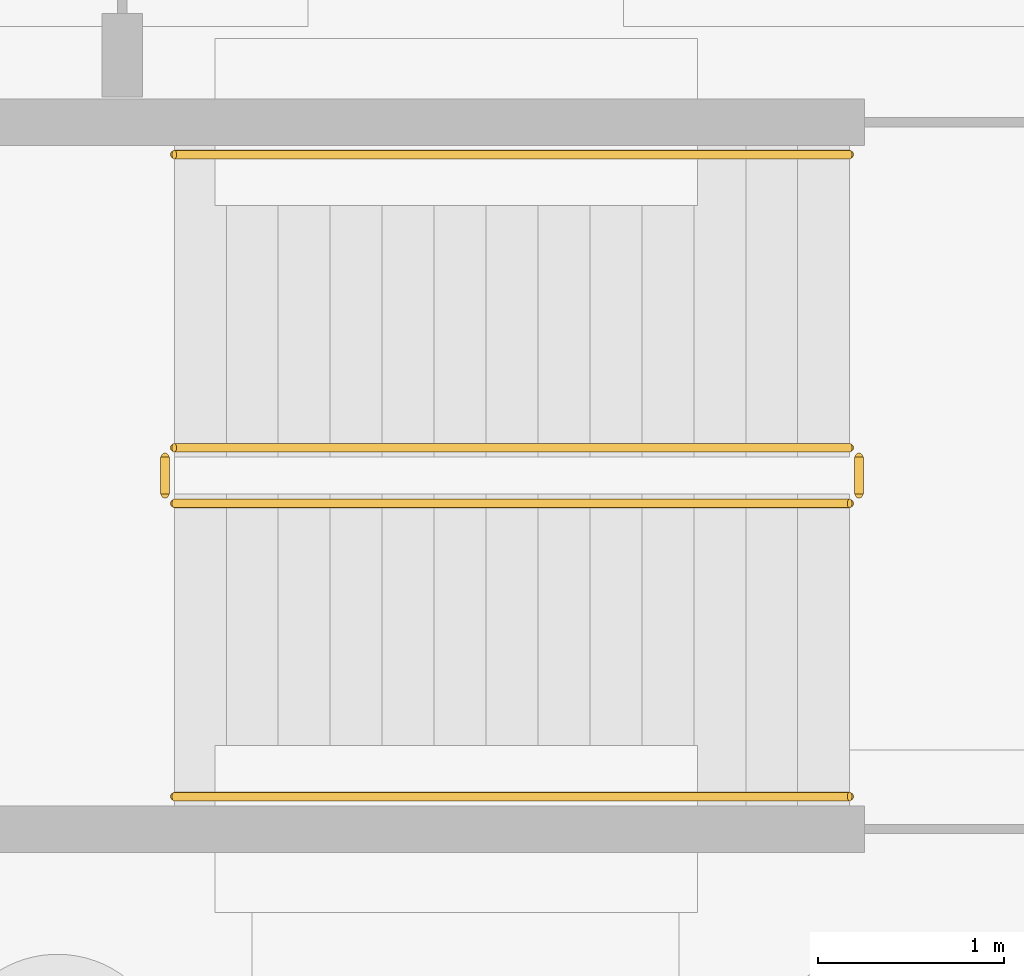
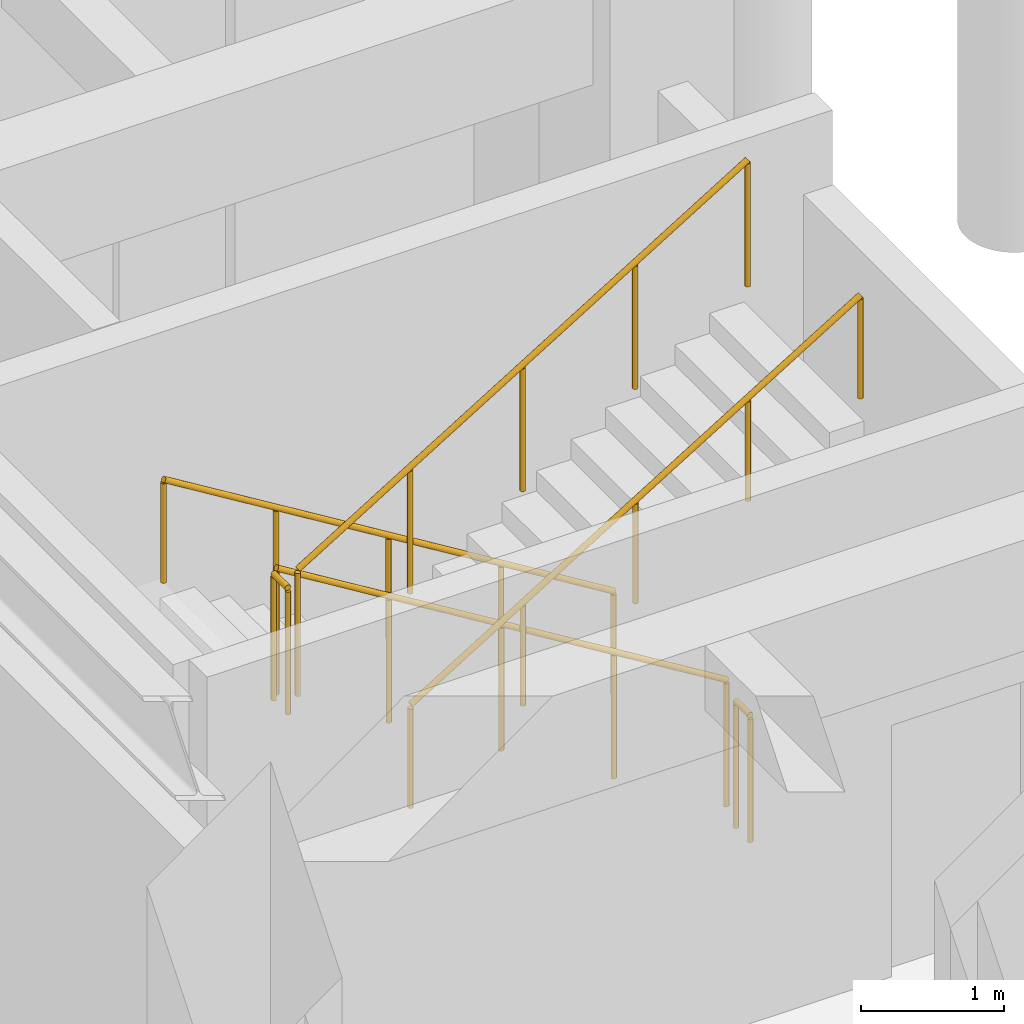
# One storey, part 33 of 38: 6 railings.
"""IFC4 building model written with IfcOpenShell, lengths in metres."""

from ifc_helpers import new_model, si_unit, direction, frame, origin, origin_2d, place, context, subcontext, project, spatial, circle, extrude, material, layer, layer_set, type_object, element, save


model = new_model("IFC4")

# Units and contexts
model_context = context("Model", 3, precision=1e-05, world=origin(), true_north=direction((0.0, 1.0)))
body_context = subcontext(model_context, "Body", "Model", "MODEL_VIEW")
ifc_project = project(units=[si_unit("LENGTHUNIT", "METRE"), si_unit("AREAUNIT", "SQUARE_METRE"), si_unit("VOLUMEUNIT", "CUBIC_METRE"), si_unit("PLANEANGLEUNIT", "RADIAN"), si_unit("MASSUNIT", "GRAM", prefix="KILO")], contexts=[model_context])

# Site, building, storey
site_placement = place(None, origin())
site = spatial("IfcSite", under=ifc_project, at=site_placement, CompositionType="ELEMENT")
building_placement = place(site_placement, origin())
building = spatial("IfcBuilding", under=site, at=building_placement, Name="Qasida Concert Hall", CompositionType="ELEMENT")
storey_placement = place(building_placement, frame((0.0, 0.0, -4.800048828125)))
storey = spatial("IfcBuildingStorey", under=building, at=storey_placement, Name="B1", CompositionType="ELEMENT", Elevation=-4.800048828125)

# Railings
ifc_material_1 = material(Name="Patinated architectural bronze and laminated glass infill", Category="glass")
ifc_layer_1 = layer(ifc_material_1, 0.080078125, Name="Patinated architectural bronze and laminated glass infill")
ifc_layer_set_1 = layer_set([ifc_layer_1], Name="Patinated architectural bronze and laminated glass infill")
railing_type_1 = type_object("IfcRailingType", Name="RL-GRD-1100", PredefinedType="GUARDRAIL", material=ifc_layer_set_1)
railing_1_placement = place(storey_placement, frame((103.320068359375, 48.330078125, 0.17138671875)))
element("IfcRailing", 1, at=railing_1_placement, inside=storey, type_object=railing_type_1, Name="B1 ST-02 stair guard 1", PredefinedType="GUARDRAIL", context=body_context, shape_type="SweptSolid", body=[
    extrude(circle(Radius=0.02392578125, at=origin_2d()), frame((0.0, 0.0, 1.076171875), z_axis=(-0.852840387347, 0.0, 0.522171689878), x_axis=(0.0, -1.0, 0.0)), (0.0, 0.0, 1.0), 4.268310546875),
    extrude(circle(Radius=0.02099609375, at=origin_2d()), origin(), (0.0, 0.0, 1.0), 1.052001953125),
    extrude(circle(Radius=0.02099609375, at=origin_2d()), frame((-0.91015625, 0.0, 0.55712890625)), (0.0, 0.0, 1.0), 1.052001953125),
    extrude(circle(Radius=0.02099609375, at=origin_2d()), frame((-1.820068359375, 0.0, 1.1142578125)), (0.0, 0.0, 1.0), 1.052001953125),
    extrude(circle(Radius=0.02099609375, at=origin_2d()), frame((-2.72998046875, 0.0, 1.671630859375)), (0.0, 0.0, 1.0), 1.052001953125),
    extrude(circle(Radius=0.02099609375, at=origin_2d()), frame((-3.64013671875, 0.0, 2.228759765625)), (0.0, 0.0, 1.0), 1.052001953125),
])
railing_2_placement = place(storey_placement, frame((99.6298828125, 48.280029296875, 2.400146484375)))
element("IfcRailing", 2, at=railing_2_placement, inside=storey, type_object=railing_type_1, Name="B1 ST-02 stair guard 2", PredefinedType="GUARDRAIL", context=body_context, shape_type="SweptSolid", body=[
    extrude(circle(Radius=0.02392578125, at=origin_2d()), frame((0.0, 0.0, 1.076171875), z_axis=(0.0, -1.0, 0.0), x_axis=(1.0, 0.0, 0.0)), (0.0, 0.0, 1.0), 0.199951171875),
    extrude(circle(Radius=0.02099609375, at=origin_2d()), origin(), (0.0, 0.0, 1.0), 1.052001953125),
    extrude(circle(Radius=0.02099609375, at=origin_2d()), frame((0.0, -0.199951171875, 0.0)), (0.0, 0.0, 1.0), 1.052001953125),
])
railing_3_placement = place(storey_placement, frame((99.679931640625, 48.030029296875, 2.571533203125)))
element("IfcRailing", 3, at=railing_3_placement, inside=storey, type_object=railing_type_1, Name="B1 ST-02 stair guard 3", PredefinedType="GUARDRAIL", context=body_context, shape_type="SweptSolid", body=[
    extrude(circle(Radius=0.02392578125, at=origin_2d()), frame((0.0, 0.0, 1.076171875), z_axis=(0.852865859571, 0.0, 0.52213008492), x_axis=(0.0, 1.0, 0.0)), (0.0, 0.0, 1.0), 4.26806640625),
    extrude(circle(Radius=0.02099609375, at=origin_2d()), origin(), (0.0, 0.0, 1.0), 1.052001953125),
    extrude(circle(Radius=0.02099609375, at=origin_2d()), frame((0.91015625, 0.0, 0.55712890625)), (0.0, 0.0, 1.0), 1.052001953125),
    extrude(circle(Radius=0.02099609375, at=origin_2d()), frame((1.820068359375, 0.0, 1.1142578125)), (0.0, 0.0, 1.0), 1.052001953125),
    extrude(circle(Radius=0.02099609375, at=origin_2d()), frame((2.72998046875, 0.0, 1.67138671875)), (0.0, 0.0, 1.0), 1.052001953125),
    extrude(circle(Radius=0.02099609375, at=origin_2d()), frame((3.64013671875, 0.0, 2.228515625)), (0.0, 0.0, 1.0), 1.052001953125),
])
railing_4_placement = place(storey_placement, frame((103.3701171875, 48.280029296875, 0.0)))
element("IfcRailing", 4, at=railing_4_placement, inside=storey, type_object=railing_type_1, Name="B1 ST-02 stair guard 4", PredefinedType="GUARDRAIL", context=body_context, shape_type="SweptSolid", body=[
    extrude(circle(Radius=0.02392578125, at=origin_2d()), frame((0.0, 0.0, 1.076171875), z_axis=(0.0, -1.0, 0.0), x_axis=(1.0, 0.0, 0.0)), (0.0, 0.0, 1.0), 0.199951171875),
    extrude(circle(Radius=0.02099609375, at=origin_2d()), origin(), (0.0, 0.0, 1.0), 1.052001953125),
    extrude(circle(Radius=0.02099609375, at=origin_2d()), frame((0.0, -0.199951171875, 0.0)), (0.0, 0.0, 1.0), 1.052001953125),
])
ifc_material_2 = material(Name="Patinated tubular architectural bronze", Category="steel")
ifc_layer_2 = layer(ifc_material_2, 0.050048828125, Name="Patinated tubular architectural bronze")
ifc_layer_set_2 = layer_set([ifc_layer_2], Name="Patinated tubular architectural bronze")
railing_type_2 = type_object("IfcRailingType", Name="RL-HND-900", PredefinedType="HANDRAIL", material=ifc_layer_set_2)
railing_5_placement = place(storey_placement, frame((103.320068359375, 49.909912109375, 0.17138671875)))
element("IfcRailing", 5, at=railing_5_placement, inside=storey, type_object=railing_type_2, Name="B1 ST-02 stair handrail 1", PredefinedType="HANDRAIL", context=body_context, shape_type="SweptSolid", body=[
    extrude(circle(Radius=0.02392578125, at=origin_2d()), frame((0.0, 0.0, 0.8759765625), z_axis=(-0.852840387347, 0.0, 0.522171689878), x_axis=(0.0, -1.0, 0.0)), (0.0, 0.0, 1.0), 4.268310546875),
    extrude(circle(Radius=0.02099609375, at=origin_2d()), origin(), (0.0, 0.0, 1.0), 0.851806640625),
    extrude(circle(Radius=0.02099609375, at=origin_2d()), frame((-0.91015625, 0.0, 0.55712890625)), (0.0, 0.0, 1.0), 0.851806640625),
    extrude(circle(Radius=0.02099609375, at=origin_2d()), frame((-1.820068359375, 0.0, 1.1142578125)), (0.0, 0.0, 1.0), 0.851806640625),
    extrude(circle(Radius=0.02099609375, at=origin_2d()), frame((-2.72998046875, 0.0, 1.671630859375)), (0.0, 0.0, 1.0), 0.851806640625),
    extrude(circle(Radius=0.02099609375, at=origin_2d()), frame((-3.64013671875, 0.0, 2.228759765625)), (0.0, 0.0, 1.0), 0.851806640625),
])
railing_6_placement = place(storey_placement, frame((99.679931640625, 46.449951171875, 2.571533203125)))
element("IfcRailing", 6, at=railing_6_placement, inside=storey, type_object=railing_type_2, Name="B1 ST-02 stair handrail 2", PredefinedType="HANDRAIL", context=body_context, shape_type="SweptSolid", body=[
    extrude(circle(Radius=0.02392578125, at=origin_2d()), frame((0.0, 0.0, 0.8759765625), z_axis=(0.852865859571, 0.0, 0.52213008492), x_axis=(0.0, 1.0, 0.0)), (0.0, 0.0, 1.0), 4.26806640625),
    extrude(circle(Radius=0.02099609375, at=origin_2d()), origin(), (0.0, 0.0, 1.0), 0.851806640625),
    extrude(circle(Radius=0.02099609375, at=origin_2d()), frame((0.91015625, 0.0, 0.55712890625)), (0.0, 0.0, 1.0), 0.851806640625),
    extrude(circle(Radius=0.02099609375, at=origin_2d()), frame((1.820068359375, 0.0, 1.1142578125)), (0.0, 0.0, 1.0), 0.851806640625),
    extrude(circle(Radius=0.02099609375, at=origin_2d()), frame((2.72998046875, 0.0, 1.67138671875)), (0.0, 0.0, 1.0), 0.851806640625),
    extrude(circle(Radius=0.02099609375, at=origin_2d()), frame((3.64013671875, 0.0, 2.228515625)), (0.0, 0.0, 1.0), 0.851806640625),
])

save(model, "model.ifc")
